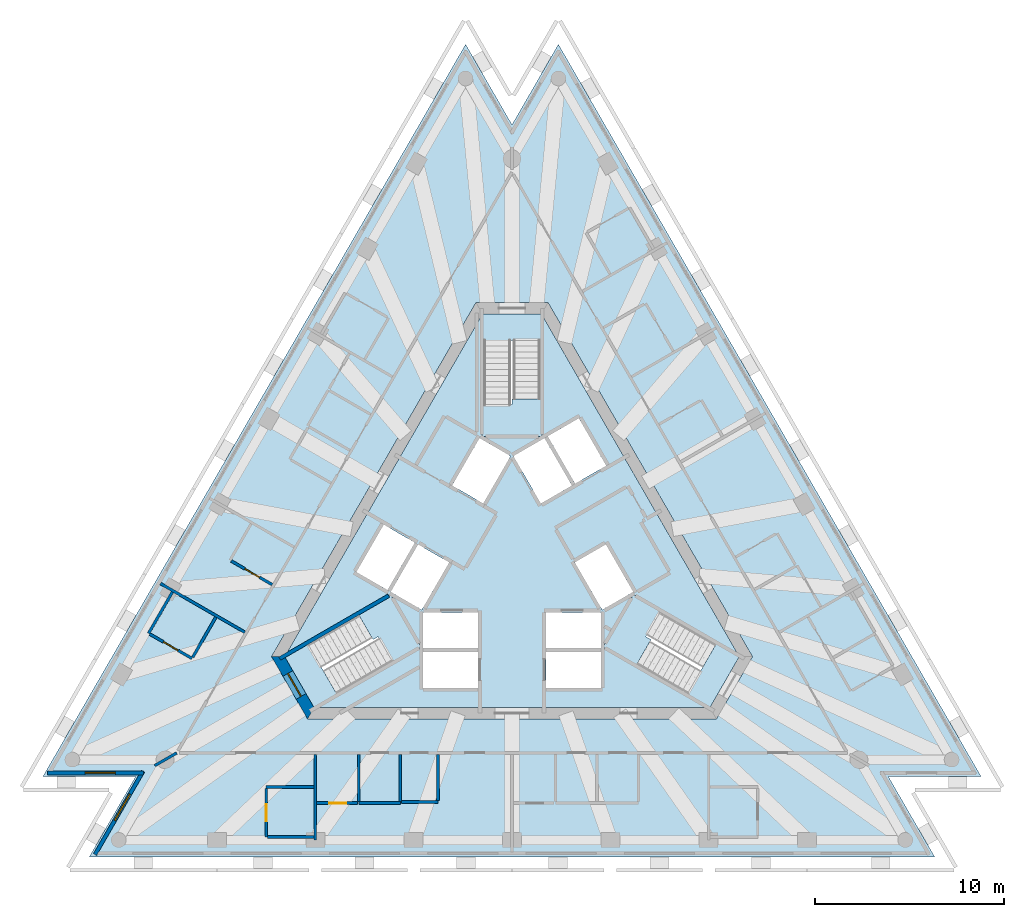
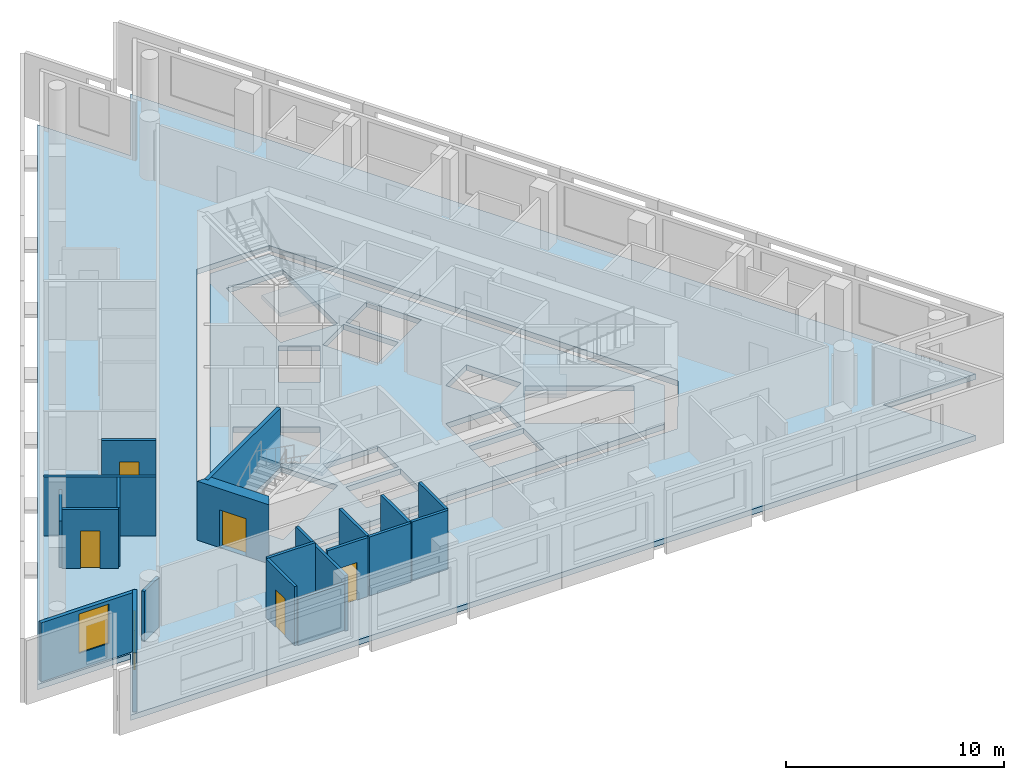
# One storey, part 2 of 10: 20 walls, 5 doors, 5 slabs, 2 windows, 7 openings, 3 elements without a shape of their own.
"""IFC4 building model written with IfcOpenShell, lengths in metres."""

from ifc_helpers import new_model, si_unit, direction, frame, frame_2d, origin, place, context, subcontext, project, spatial, polyline, rectangle, outline, extrude, material, layer, layer_set, layer_usage, type_object, element, fill, aggregate, save


model = new_model("IFC4")

# Units and contexts
model_context = context("Model", 3, precision=1e-05, world=origin(), true_north=direction((0.0, 1.0)))
body_context = subcontext(model_context, "Body", "Model", "MODEL_VIEW")
ifc_project = project(units=[si_unit("LENGTHUNIT", "METRE"), si_unit("AREAUNIT", "SQUARE_METRE"), si_unit("VOLUMEUNIT", "CUBIC_METRE"), si_unit("PLANEANGLEUNIT", "RADIAN"), si_unit("MASSUNIT", "GRAM", prefix="KILO")], contexts=[model_context])

# Site, building, storey
site_placement = place(None, origin())
site = spatial("IfcSite", under=ifc_project, at=site_placement, CompositionType="ELEMENT")
building_placement = place(site_placement, origin())
building = spatial("IfcBuilding", under=site, at=building_placement, Name="Triada Interchange Tower", CompositionType="ELEMENT")
storey_placement = place(building_placement, frame((0.0, 0.0, 311.5)))
storey = spatial("IfcBuildingStorey", under=building, at=storey_placement, Name="L74", CompositionType="ELEMENT", Elevation=311.5)

# Slabs
ifc_material_1 = material(Name="Concrete C50/60", Category="concrete")
ifc_layer_1 = layer(ifc_material_1, 0.300048828125)
ifc_layer_set_1 = layer_set([ifc_layer_1], Name="Floor slab 300")
slab_type_1 = type_object("IfcSlabType", Name="Floor slab 300", PredefinedType="FLOOR", material=ifc_layer_set_1)
slab_1_placement = place(storey_placement, frame((0.0, 0.0, -0.300048828125)))
element("IfcSlab", 1, at=slab_1_placement, inside=storey, type_object=slab_type_1, Name="Floor slab L74", PredefinedType="FLOOR", context=body_context, shape_type="SweptSolid", body=[
    extrude(outline(polyline([(-2.45703125, 27.27001953125), (-24.844970703125, -11.507080078125), (-19.930908203125, -11.507080078125), (-22.387939453125, -15.762939453125), (22.387939453125, -15.762939453125), (19.930908203125, -11.507080078125), (24.844970703125, -11.507080078125), (2.45703125, 27.27001953125), (0.0, 23.013916015625), (-2.45703125, 27.27001953125)]), holes=[polyline([(1.905029296875, 13.60009765625), (-1.905029296875, 13.60009765625), (-12.73095703125, -5.14990234375), (-10.824951171875, -8.449951171875), (10.824951171875, -8.449951171875), (12.73095703125, -5.14990234375), (1.905029296875, 13.60009765625)])]), origin(), (0.0, 0.0, 1.0), 0.300048828125),
])
slab_2_placement = place(storey_placement, frame((0.0, 0.0, -0.300048828125)))
element("IfcSlab", 2, at=slab_2_placement, inside=storey, type_object=slab_type_1, Name="Core floor slab L74 1", PredefinedType="FLOOR", context=body_context, shape_type="SweptSolid", body=[
    extrude(outline(polyline([(12.0380859375, -5.14990234375), (10.47900390625, -7.85009765625), (-10.47900390625, -7.85009765625), (-12.0380859375, -5.14990234375), (-1.55908203125, 13.0), (1.55908203125, 13.0), (12.0380859375, -5.14990234375)]), holes=[polyline([(9.2958984375, -7.09912109375), (10.7958984375, -4.5009765625), (6.466064453125, -2.0009765625), (4.966064453125, -4.59912109375), (9.2958984375, -7.09912109375)]), polyline([(4.969970703125, 0.791015625), (3.324951171875, -0.158935546875), (4.77490234375, -2.669921875), (6.419921875, -1.719970703125), (4.969970703125, 0.791015625)]), polyline([(1.89404296875, 6.52001953125), (3.343994140625, 4.009033203125), (4.989013671875, 4.958984375), (3.5390625, 7.469970703125), (1.89404296875, 6.52001953125)]), polyline([(1.800048828125, -4.89990234375), (1.800048828125, -6.4990234375), (1.800048828125, -6.800048828125), (4.699951171875, -6.800048828125), (4.699951171875, -4.89990234375), (1.800048828125, -4.89990234375)]), polyline([(4.699951171875, -2.800048828125), (1.800048828125, -2.800048828125), (1.800048828125, -4.699951171875), (4.699951171875, -4.699951171875), (4.699951171875, -2.800048828125)]), polyline([(1.52490234375, 2.958984375), (2.594970703125, 3.576904296875), (3.169921875, 3.908935546875), (1.719970703125, 6.419921875), (0.074951171875, 5.469970703125), (1.52490234375, 2.958984375)]), polyline([(-1.5, 11.60009765625), (-1.5, 6.60009765625), (1.5, 6.60009765625), (1.5, 11.60009765625), (-1.5, 11.60009765625)]), polyline([(-1.52490234375, 2.958984375), (-0.074951171875, 5.469970703125), (-1.719970703125, 6.419921875), (-3.169921875, 3.908935546875), (-1.52490234375, 2.958984375)]), polyline([(-1.800048828125, -2.800048828125), (-4.699951171875, -2.800048828125), (-4.699951171875, -4.699951171875), (-1.800048828125, -4.699951171875), (-1.800048828125, -2.800048828125)]), polyline([(-4.699951171875, -6.800048828125), (-1.800048828125, -6.800048828125), (-1.800048828125, -6.4990234375), (-1.800048828125, -4.89990234375), (-4.699951171875, -4.89990234375), (-4.699951171875, -6.800048828125)]), polyline([(-3.427978515625, -0.09912109375), (-4.969970703125, 0.791015625), (-6.419921875, -1.719970703125), (-4.77490234375, -2.669921875), (-3.324951171875, -0.158935546875), (-3.427978515625, -0.09912109375)]), polyline([(-10.7958984375, -4.5009765625), (-9.2958984375, -7.09912109375), (-4.966064453125, -4.59912109375), (-6.466064453125, -2.0009765625), (-10.7958984375, -4.5009765625)]), polyline([(-6.593994140625, -1.6201171875), (-5.14404296875, 0.89111328125), (-6.7890625, 1.841064453125), (-8.239013671875, -0.669921875), (-6.593994140625, -1.6201171875)])]), origin(), (0.0, 0.0, 1.0), 0.300048828125),
])

# Stair, slab
ifc_material_2 = material(Name="Concrete C35/45", Category="concrete")
stair_type = type_object("IfcStairType", Name="HALF TURN STAIR 1400", PredefinedType="HALF_TURN_STAIR", material=ifc_material_2)
stair_1_placement = place(storey_placement, origin())
stair_1 = element("IfcStair", 3, at=stair_1_placement, inside=storey, type_object=stair_type, Name="Exit stair S74-1", PredefinedType="HALF_TURN_STAIR")
ifc_layer_2 = layer(ifc_material_2, 0.199951171875)
ifc_layer_set_2 = layer_set([ifc_layer_2], Name="STAIR LANDING 200")
slab_type_2 = type_object("IfcSlabType", Name="STAIR LANDING 200", PredefinedType="LANDING", material=ifc_layer_set_2)
slab_3_placement = place(storey_placement, frame((0.0, 0.0, 1.521728515625)))
slab_3 = element("IfcSlab", 4, at=slab_3_placement, type_object=slab_type_2, Name="S74-1 landing 1", PredefinedType="LANDING", context=body_context, shape_type="SweptSolid", body=[
    extrude(outline(polyline([(1.60009765625, 6.5), (1.60009765625, 8.5), (0.0, 8.5), (0.0, 8.18994140625), (-1.60009765625, 8.18994140625), (-1.60009765625, 6.5), (1.60009765625, 6.5)])), origin(), (0.0, 0.0, 1.0), 0.199951171875),
])
aggregate(stair_1, [slab_3])

stair_2_placement = place(storey_placement, origin())
stair_2 = element("IfcStair", 5, at=stair_2_placement, inside=storey, type_object=stair_type, Name="Exit stair S74-2", PredefinedType="HALF_TURN_STAIR")
slab_4_placement = place(storey_placement, frame((0.0, 0.0, 1.521728515625)))
slab_4 = element("IfcSlab", 6, at=slab_4_placement, type_object=slab_type_2, Name="S74-2 landing 1", PredefinedType="LANDING", context=body_context, shape_type="SweptSolid", body=[
    extrude(outline(polyline([(-6.428955078125, -1.864013671875), (-8.160888671875, -2.864013671875), (-7.361083984375, -4.25), (-7.093017578125, -4.094970703125), (-6.29296875, -5.48095703125), (-4.8291015625, -4.635986328125), (-6.428955078125, -1.864013671875)])), origin(), (0.0, 0.0, 1.0), 0.199951171875),
])
aggregate(stair_2, [slab_4])

stair_3_placement = place(storey_placement, origin())
stair_3 = element("IfcStair", 7, at=stair_3_placement, inside=storey, type_object=stair_type, Name="Exit stair S74-3", PredefinedType="HALF_TURN_STAIR")
slab_5_placement = place(storey_placement, frame((0.0, 0.0, 1.521728515625)))
slab_5 = element("IfcSlab", 8, at=slab_5_placement, type_object=slab_type_2, Name="S74-3 landing 1", PredefinedType="LANDING", context=body_context, shape_type="SweptSolid", body=[
    extrude(outline(polyline([(4.8291015625, -4.635986328125), (6.56103515625, -5.635986328125), (7.361083984375, -4.25), (7.093017578125, -4.094970703125), (7.89306640625, -2.708984375), (6.428955078125, -1.864013671875), (4.8291015625, -4.635986328125)])), origin(), (0.0, 0.0, 1.0), 0.199951171875),
])
aggregate(stair_3, [slab_5])

# Wall
ifc_material_3 = material(Name="Concrete C30/37", Category="concrete")
ifc_layer_3 = layer(ifc_material_3, 0.199951171875)
ifc_layer_set_3 = layer_set([ifc_layer_3], Name="CORE WALL 200 REI 240")
wall_type_1 = type_object("IfcWallType", Name="CORE WALL 200 REI 240", PredefinedType="SOLIDWALL", material=ifc_layer_set_3)
wall_1_placement = place(storey_placement, frame((-12.301025390625, -5.25390625, 0.0), z_axis=(0.0, 0.0, 1.0), x_axis=(0.866068467981, 0.499925403204, 0.0)))
element("IfcWall", 9, at=wall_1_placement, inside=storey, type_object=wall_type_1, Name="Wall L74 110", PredefinedType="SOLIDWALL", context=body_context, shape_type="SweptSolid", body=[
    extrude(rectangle(XDim=6.66455078125, YDim=0.199951171875, at=frame_2d((3.332275390625, 0.0))), origin(), (0.0, 0.0, 1.0), 3.300048828125),
])

# Wall, opening, door
ifc_material_4 = material(Name="Concrete C40/50", Category="concrete")
ifc_layer_4 = layer(ifc_material_4, 0.60009765625)
ifc_layer_set_4 = layer_set([ifc_layer_4], Name="Core wall D 600")
wall_type_2 = type_object("IfcWallType", Name="Core wall D 600", PredefinedType="SHEAR", material=ifc_layer_set_4)
wall_2_placement = place(storey_placement, frame((-12.384033203125, -5.14990234375, -0.300048828125), z_axis=(0.0, 0.0, 1.0), x_axis=(0.49997462182, -0.866040055388, 0.0)))
wall_2 = element("IfcWall", 10, at=wall_2_placement, inside=storey, type_object=wall_type_2, Name="Core wall WD03 L74", PredefinedType="SHEAR", context=body_context, shape_type="SweptSolid", body=[
    extrude(outline(polyline([(-0.173095703125, -0.301025390625), (1.73193359375, -0.300537109375), (3.636962890625, -0.300048828125), (3.291015625, 0.300048828125), (1.73193359375, 0.300048828125), (0.173095703125, 0.300048828125), (-0.173095703125, -0.301025390625)])), origin(), (0.0, 0.0, 1.0), 3.60009765625),
])
opening_1_placement = place(wall_2_placement, frame((1.031982421875, 0.0, 0.300048828125)))
opening_1 = element("IfcOpeningElement", 11, at=opening_1_placement, cuts=wall_2, Name="Opening D74-47", PredefinedType="OPENING", context=body_context, shape_type="SweptSolid", body=[
    extrude(rectangle(XDim=1.39990234375, YDim=2.10009765625, at=frame_2d((0.699951171875, 1.050048828125))), frame((0.0, 0.31005859375, 0.0), z_axis=(0.0, -1.0, 0.0), x_axis=(1.0, 0.0, 0.0)), (0.0, 0.0, 1.0), 0.62109375),
])
ifc_material_5 = material(Name="Steel S235 door leaf", Category="steel")
door_type_1 = type_object("IfcDoorType", Name="STAIR DOOR 1400 EI2 90-C5S200", OperationType="DOUBLE_DOOR_SINGLE_SWING", PredefinedType="DOOR", material=ifc_material_5)
door_1_placement = place(opening_1_placement, origin())
door_1 = element("IfcDoor", 12, at=door_1_placement, inside=storey, type_object=door_type_1, Name="Door D74-47 L74", OperationType="DOUBLE_DOOR_SINGLE_SWING", OverallHeight=2.10009765625, OverallWidth=1.39990234375, PredefinedType="DOOR", context=body_context, shape_type="SweptSolid", body=[
    extrude(rectangle(XDim=1.39990234375, YDim=2.10009765625, at=frame_2d((0.699951171875, 1.050048828125))), frame((0.0, 0.02490234375, 0.0), z_axis=(0.0, -1.0, 0.0), x_axis=(1.0, 0.0, 0.0)), (0.0, 0.0, 1.0), 0.050048828125),
])
fill(opening_1, door_1)

# Wall, opening, window
ifc_material_6 = material(Name="Cement board")
ifc_layer_5 = layer(ifc_material_6, 0.02001953125, Name="Cement board cladding")
ifc_material_7 = material(Name="Sheathing board")
ifc_layer_6 = layer(ifc_material_7, 0.014892578125, Name="Sheathing board")
ifc_material_8 = material(Name="Mineral wool")
ifc_layer_7 = layer(ifc_material_8, 0.14990234375, Name="Mineral wool between steel studs")
ifc_material_9 = material(Name="Gypsum board")
ifc_layer_8 = layer(ifc_material_9, 0.014892578125, Name="Plasterboard lining")
ifc_layer_set_5 = layer_set([ifc_layer_5, ifc_layer_6, ifc_layer_7, ifc_layer_8], Name="External wall 200")
ifc_layer_usage = layer_usage(ifc_layer_set_5, "AXIS2", "POSITIVE", -0.10009765625)
wall_type_3 = type_object("IfcWallType", Name="External wall 200", PredefinedType="ELEMENTEDWALL", material=ifc_layer_set_5)
wall_3_placement = place(storey_placement, frame((-24.589111328125, -11.306884765625, 0.0), z_axis=(0.0, 0.0, 1.0), x_axis=(1.0, 0.0, 0.0)))
wall_3 = element("IfcWall", 13, at=wall_3_placement, inside=storey, type_object=wall_type_3, material=ifc_layer_usage, Name="External wall L74 SW-1", PredefinedType="ELEMENTEDWALL", context=body_context, shape_type="SweptSolid", body=[
    extrude(rectangle(XDim=5.07421875, YDim=0.199951171875, at=frame_2d((2.537109375, 0.0))), origin(), (0.0, 0.0, 1.0), 3.300048828125),
])
opening_2_placement = place(wall_3_placement, frame((1.989990234375, 0.0, 0.89990234375)))
opening_2 = element("IfcOpeningElement", 14, at=opening_2_placement, cuts=wall_3, Name="Opening WD09", PredefinedType="OPENING", context=body_context, shape_type="SweptSolid", body=[
    extrude(rectangle(XDim=1.60009765625, YDim=2.199951171875, at=frame_2d((0.800048828125, 1.10009765625))), frame((0.0, 0.10986328125, 0.0), z_axis=(0.0, -1.0, 0.0), x_axis=(1.0, 0.0, 0.0)), (0.0, 0.0, 1.0), 0.219970703125),
])
ifc_material_10 = material(Name="Double glazed aluminium window", Category="aluminium")
window_type = type_object("IfcWindowType", Name="Ribbon window D pocket", PartitioningType="SINGLE_PANEL", PredefinedType="WINDOW", material=ifc_material_10)
window_1_placement = place(opening_2_placement, origin())
window_1 = element("IfcWindow", 15, at=window_1_placement, inside=storey, type_object=window_type, Name="Window L74 SW-1 1", OverallHeight=2.199951171875, OverallWidth=1.60009765625, PartitioningType="SINGLE_PANEL", PredefinedType="WINDOW", context=body_context, shape_type="SweptSolid", body=[
    extrude(rectangle(XDim=1.60009765625, YDim=2.199951171875, at=frame_2d((0.800048828125, 1.10009765625))), frame((0.0, 0.030029296875, 0.0), z_axis=(0.0, -1.0, 0.0), x_axis=(1.0, 0.0, 0.0)), (0.0, 0.0, 1.0), 0.06005859375),
])
fill(opening_2, window_1)

wall_4_placement = place(storey_placement, frame((-19.5400390625, -11.22900390625, 0.0), z_axis=(0.0, 0.0, 1.0), x_axis=(-0.499911250765, -0.866076637116, 0.0)))
wall_4 = element("IfcWall", 16, at=wall_4_placement, inside=storey, type_object=wall_type_3, material=ifc_layer_usage, Name="External wall L74 SW-2", PredefinedType="ELEMENTEDWALL", context=body_context, shape_type="SweptSolid", body=[
    extrude(rectangle(XDim=5.07470703125, YDim=0.199951171875, at=frame_2d((2.537353515625, 0.0))), origin(), (0.0, 0.0, 1.0), 3.300048828125),
])
opening_3_placement = place(wall_4_placement, frame((1.389892578125, 0.0, 0.89990234375)))
opening_3 = element("IfcOpeningElement", 17, at=opening_3_placement, cuts=wall_4, Name="Opening WD10", PredefinedType="OPENING", context=body_context, shape_type="SweptSolid", body=[
    extrude(rectangle(XDim=1.60009765625, YDim=2.199951171875, at=frame_2d((0.800048828125, 1.10009765625))), frame((0.0, 0.10986328125, 0.0), z_axis=(0.0, -1.0, 0.0), x_axis=(1.0, 0.0, 0.0)), (0.0, 0.0, 1.0), 0.219970703125),
])
window_2_placement = place(opening_3_placement, origin())
window_2 = element("IfcWindow", 18, at=window_2_placement, inside=storey, type_object=window_type, Name="Window L74 SW-2 1", OverallHeight=2.199951171875, OverallWidth=1.60009765625, PartitioningType="SINGLE_PANEL", PredefinedType="WINDOW", context=body_context, shape_type="SweptSolid", body=[
    extrude(rectangle(XDim=1.60009765625, YDim=2.199951171875, at=frame_2d((0.800048828125, 1.10009765625))), frame((0.0, 0.030029296875, 0.0), z_axis=(0.0, -1.0, 0.0), x_axis=(1.0, 0.0, 0.0)), (0.0, 0.0, 1.0), 0.06005859375),
])
fill(opening_3, window_2)

# Walls
ifc_material_11 = material(Name="Gypsum board partition")
ifc_layer_9 = layer(ifc_material_11, 0.14990234375)
ifc_layer_set_6 = layer_set([ifc_layer_9], Name="PARTITION 150 EI 180")
wall_type_4 = type_object("IfcWallType", Name="PARTITION 150 EI 180", PredefinedType="PARTITIONING", material=ifc_layer_set_6)
wall_5_placement = place(storey_placement, frame((-18.908935546875, -10.9169921875, 0.0), z_axis=(0.0, 0.0, 1.0), x_axis=(0.865847470378, 0.500308063137, 0.0)))
element("IfcWall", 19, at=wall_5_placement, inside=storey, type_object=wall_type_4, Name="Wall L74 1", PredefinedType="PARTITIONING", context=body_context, shape_type="SweptSolid", body=[
    extrude(rectangle(XDim=1.335205078125, YDim=0.14990234375, at=frame_2d((0.66748046875, 0.0))), origin(), (0.0, 0.0, 1.0), 2.800048828125),
])
wall_6_placement = place(storey_placement, frame((-18.615966796875, -1.278076171875, 0.0), z_axis=(0.0, 0.0, 1.0), x_axis=(0.86604134632, -0.499972385701, 0.0)))
element("IfcWall", 20, at=wall_6_placement, inside=storey, type_object=wall_type_4, Name="Wall L74 3", PredefinedType="PARTITIONING", context=body_context, shape_type="SweptSolid", body=[
    extrude(rectangle(XDim=5.157958984375, YDim=0.14990234375, at=frame_2d((2.5791015625, 0.0))), origin(), (0.0, 0.0, 1.0), 3.300048828125),
])
wall_7_placement = place(storey_placement, frame((-10.4140625, -14.85791015625, 0.0), z_axis=(0.0, 0.0, 1.0), x_axis=(0.0, 1.0, 0.0)))
element("IfcWall", 21, at=wall_7_placement, inside=storey, type_object=wall_type_4, Name="Wall L74 12", PredefinedType="PARTITIONING", context=body_context, shape_type="SweptSolid", body=[
    extrude(rectangle(XDim=4.532958984375, YDim=0.14990234375, at=frame_2d((2.2666015625, 0.0))), origin(), (0.0, 0.0, 1.0), 3.10009765625),
])
wall_8_placement = place(storey_placement, frame((-8.114013671875, -12.906005859375, 0.0), z_axis=(0.0, 0.0, 1.0), x_axis=(1.0, 0.0, 0.0)))
element("IfcWall", 22, at=wall_8_placement, inside=storey, type_object=wall_type_4, Name="Wall L74 14", PredefinedType="PARTITIONING", context=body_context, shape_type="SweptSolid", body=[
    extrude(rectangle(XDim=2.199951171875, YDim=0.14990234375, at=frame_2d((1.10009765625, 0.0))), origin(), (0.0, 0.0, 1.0), 3.300048828125),
])
for number, where, z_axis, x_axis, name in (
    (23, (-5.9140625, -12.83203125, 0.0), (0.0, 0.0, 1.0), (0.0, 1.0, 0.0), "Wall L74 16"),
    (24, (-8.114013671875, -12.83203125, 0.0), (0.0, 0.0, 1.0), (0.0, 1.0, 0.0), "Wall L74 17"),
):
    element("IfcWall", number, at=place(storey_placement, frame(where, z_axis=z_axis, x_axis=x_axis)), inside=storey, type_object=wall_type_4, Name=name, PredefinedType="PARTITIONING", context=body_context, shape_type="SweptSolid", body=[
        extrude(rectangle(XDim=2.507080078125, YDim=0.14990234375, at=frame_2d((1.25341796875, 0.0))), origin(), (0.0, 0.0, 1.0), 3.300048828125),
    ])
wall_9_placement = place(storey_placement, frame((-5.839111328125, -12.85009765625, 0.0), z_axis=(0.0, 0.0, 1.0), x_axis=(1.0, 0.0, 0.0)))
element("IfcWall", 25, at=wall_9_placement, inside=storey, type_object=wall_type_4, Name="Wall L74 18", PredefinedType="PARTITIONING", context=body_context, shape_type="SweptSolid", body=[
    extrude(rectangle(XDim=1.925048828125, YDim=0.14990234375, at=frame_2d((0.96240234375, 0.0))), origin(), (0.0, 0.0, 1.0), 3.300048828125),
])
wall_10_placement = place(storey_placement, frame((-3.9140625, -12.77490234375, 0.0), z_axis=(0.0, 0.0, 1.0), x_axis=(0.0, 1.0, 0.0)))
element("IfcWall", 26, at=wall_10_placement, inside=storey, type_object=wall_type_4, Name="Wall L74 19", PredefinedType="PARTITIONING", context=body_context, shape_type="SweptSolid", body=[
    extrude(rectangle(XDim=2.449951171875, YDim=0.14990234375, at=frame_2d((1.22509765625, 0.0))), origin(), (0.0, 0.0, 1.0), 3.300048828125),
])
ifc_layer_10 = layer(ifc_material_11, 0.14990234375)
ifc_layer_set_7 = layer_set([ifc_layer_10], Name="PARTITION 150 EI 90")
wall_type_5 = type_object("IfcWallType", Name="PARTITION 150 EI 90", PredefinedType="PARTITIONING", material=ifc_layer_set_7)
wall_11_placement = place(storey_placement, frame((-19.243896484375, -3.91796875, 0.0), z_axis=(0.0, 0.0, 1.0), x_axis=(0.500079482444, 0.865979509711, 0.0)))
element("IfcWall", 27, at=wall_11_placement, inside=storey, type_object=wall_type_5, Name="Wall L74 31", PredefinedType="PARTITIONING", context=body_context, shape_type="SweptSolid", body=[
    extrude(rectangle(XDim=2.525390625, YDim=0.14990234375, at=frame_2d((1.2626953125, 0.0))), origin(), (0.0, 0.0, 1.0), 2.60009765625),
])

# Wall, opening, door
wall_12_placement = place(storey_placement, frame((-19.178955078125, -3.955078125, 0.0), z_axis=(0.0, 0.0, 1.0), x_axis=(0.865999760466, -0.500044412901, 0.0)))
wall_12 = element("IfcWall", 28, at=wall_12_placement, inside=storey, type_object=wall_type_5, Name="Wall L74 33", PredefinedType="PARTITIONING", context=body_context, shape_type="SweptSolid", body=[
    extrude(rectangle(XDim=2.581787109375, YDim=0.14990234375, at=frame_2d((1.291015625, 0.0))), origin(), (0.0, 0.0, 1.0), 3.300048828125),
])
opening_4_placement = place(wall_12_placement, frame((0.83203125, 0.0, 0.0)))
opening_4 = element("IfcOpeningElement", 29, at=opening_4_placement, cuts=wall_12, Name="Opening D74-44", PredefinedType="OPENING", context=body_context, shape_type="SweptSolid", body=[
    extrude(rectangle(XDim=0.89990234375, YDim=2.10009765625, at=frame_2d((0.449951171875, 1.050048828125))), frame((0.0, 0.0849609375, 0.0), z_axis=(0.0, -1.0, 0.0), x_axis=(1.0, 0.0, 0.0)), (0.0, 0.0, 1.0), 0.169921875),
])
door_type_2 = type_object("IfcDoorType", Name="ROOM DOOR 900 EI2 45-C5S200", OperationType="NOTDEFINED", PredefinedType="DOOR", material=ifc_material_5)
door_2_placement = place(opening_4_placement, origin())
door_2 = element("IfcDoor", 30, at=door_2_placement, inside=storey, type_object=door_type_2, Name="Door D74-44 L74", OperationType="SINGLE_SWING_LEFT", OverallHeight=2.10009765625, OverallWidth=0.89990234375, PredefinedType="DOOR", context=body_context, shape_type="SweptSolid", body=[
    extrude(rectangle(XDim=0.89990234375, YDim=2.10009765625, at=frame_2d((0.449951171875, 1.050048828125))), frame((0.0, 0.02490234375, 0.0), z_axis=(0.0, -1.0, 0.0), x_axis=(1.0, 0.0, 0.0)), (0.0, 0.0, 1.0), 0.050048828125),
])
fill(opening_4, door_2)

# Wall
wall_13_placement = place(storey_placement, frame((-16.905029296875, -5.180908203125, 0.0), z_axis=(0.0, 0.0, 1.0), x_axis=(0.500018594424, 0.866014668023, 0.0)))
element("IfcWall", 31, at=wall_13_placement, inside=storey, type_object=wall_type_5, Name="Wall L74 34", PredefinedType="PARTITIONING", context=body_context, shape_type="SweptSolid", body=[
    extrude(rectangle(XDim=2.4501953125, YDim=0.14990234375, at=frame_2d((1.22509765625, 0.0))), origin(), (0.0, 0.0, 1.0), 3.300048828125),
])

# Wall, opening, door
wall_14_placement = place(storey_placement, frame((-14.865966796875, -0.0849609375, 0.0), z_axis=(0.0, 0.0, 1.0), x_axis=(0.865890381195, -0.500233793095, 0.0)))
wall_14 = element("IfcWall", 32, at=wall_14_placement, inside=storey, type_object=wall_type_5, Name="Wall L74 38", PredefinedType="PARTITIONING", context=body_context, shape_type="SweptSolid", body=[
    extrude(rectangle(XDim=2.507080078125, YDim=0.14990234375, at=frame_2d((1.25341796875, 0.0))), origin(), (0.0, 0.0, 1.0), 3.300048828125),
])
opening_5_placement = place(wall_14_placement, frame((0.83203125, 0.0, 0.0)))
opening_5 = element("IfcOpeningElement", 33, at=opening_5_placement, cuts=wall_14, Name="Opening D74-42", PredefinedType="OPENING", context=body_context, shape_type="SweptSolid", body=[
    extrude(rectangle(XDim=0.89990234375, YDim=2.10009765625, at=frame_2d((0.449951171875, 1.050048828125))), frame((0.0, 0.0849609375, 0.0), z_axis=(0.0, -1.0, 0.0), x_axis=(1.0, 0.0, 0.0)), (0.0, 0.0, 1.0), 0.169921875),
])
door_3_placement = place(opening_5_placement, origin())
door_3 = element("IfcDoor", 34, at=door_3_placement, inside=storey, type_object=door_type_2, Name="Door D74-42 L74", OperationType="SINGLE_SWING_RIGHT", OverallHeight=2.10009765625, OverallWidth=0.89990234375, PredefinedType="DOOR", context=body_context, shape_type="SweptSolid", body=[
    extrude(rectangle(XDim=0.89990234375, YDim=2.10009765625, at=frame_2d((0.449951171875, 1.050048828125))), frame((0.0, 0.02490234375, 0.0), z_axis=(0.0, -1.0, 0.0), x_axis=(1.0, 0.0, 0.0)), (0.0, 0.0, 1.0), 0.050048828125),
])
fill(opening_5, door_3)

# Wall
wall_15_placement = place(storey_placement, frame((-13.013916015625, -12.050048828125, 0.0), z_axis=(0.0, 0.0, 1.0), x_axis=(1.0, 0.0, 0.0)))
element("IfcWall", 35, at=wall_15_placement, inside=storey, type_object=wall_type_5, Name="Wall L74 39", PredefinedType="PARTITIONING", context=body_context, shape_type="SweptSolid", body=[
    extrude(rectangle(XDim=2.52490234375, YDim=0.14990234375, at=frame_2d((1.262451171875, 0.0))), origin(), (0.0, 0.0, 1.0), 3.300048828125),
])

# Wall, opening, door
wall_16_placement = place(storey_placement, frame((-13.013916015625, -14.7060546875, 0.0), z_axis=(0.0, 0.0, 1.0), x_axis=(0.0, 1.0, 0.0)))
wall_16 = element("IfcWall", 36, at=wall_16_placement, inside=storey, type_object=wall_type_5, Name="Wall L74 41", PredefinedType="PARTITIONING", context=body_context, shape_type="SweptSolid", body=[
    extrude(rectangle(XDim=2.5810546875, YDim=0.14990234375, at=frame_2d((1.29052734375, 0.0))), origin(), (0.0, 0.0, 1.0), 3.300048828125),
])
opening_6_placement = place(wall_16_placement, frame((0.85009765625, 0.0, 0.0)))
opening_6 = element("IfcOpeningElement", 37, at=opening_6_placement, cuts=wall_16, Name="Opening D74-12", PredefinedType="OPENING", context=body_context, shape_type="SweptSolid", body=[
    extrude(rectangle(XDim=0.89990234375, YDim=2.10009765625, at=frame_2d((0.449951171875, 1.050048828125))), frame((0.0, 0.0849609375, 0.0), z_axis=(0.0, -1.0, 0.0), x_axis=(1.0, 0.0, 0.0)), (0.0, 0.0, 1.0), 0.169921875),
])
door_4_placement = place(opening_6_placement, origin())
door_4 = element("IfcDoor", 38, at=door_4_placement, inside=storey, type_object=door_type_2, Name="Door D74-12 L74", OperationType="SINGLE_SWING_RIGHT", OverallHeight=2.10009765625, OverallWidth=0.89990234375, PredefinedType="DOOR", context=body_context, shape_type="SweptSolid", body=[
    extrude(rectangle(XDim=0.89990234375, YDim=2.10009765625, at=frame_2d((0.449951171875, 1.050048828125))), frame((0.0, 0.02490234375, 0.0), z_axis=(0.0, -1.0, 0.0), x_axis=(1.0, 0.0, 0.0)), (0.0, 0.0, 1.0), 0.050048828125),
])
fill(opening_6, door_4)

# Wall
wall_17_placement = place(storey_placement, frame((-12.93896484375, -14.7060546875, 0.0), z_axis=(0.0, 0.0, 1.0), x_axis=(1.0, 0.0, 0.0)))
element("IfcWall", 39, at=wall_17_placement, inside=storey, type_object=wall_type_5, Name="Wall L74 42", PredefinedType="PARTITIONING", context=body_context, shape_type="SweptSolid", body=[
    extrude(rectangle(XDim=2.449951171875, YDim=0.14990234375, at=frame_2d((1.22509765625, 0.0))), origin(), (0.0, 0.0, 1.0), 2.60009765625),
])

# Wall, opening, door
wall_18_placement = place(storey_placement, frame((-10.339111328125, -12.906005859375, 0.0), z_axis=(0.0, 0.0, 1.0), x_axis=(1.0, 0.0, 0.0)))
wall_18 = element("IfcWall", 40, at=wall_18_placement, inside=storey, type_object=wall_type_5, Name="Wall L74 44", PredefinedType="PARTITIONING", context=body_context, shape_type="SweptSolid", body=[
    extrude(rectangle(XDim=2.152099609375, YDim=0.14990234375, at=frame_2d((1.076171875, 0.0))), origin(), (0.0, 0.0, 1.0), 3.300048828125),
])
opening_7_placement = place(wall_18_placement, frame((0.675048828125, 0.0, 0.0)))
opening_7 = element("IfcOpeningElement", 41, at=opening_7_placement, cuts=wall_18, Name="Opening D74-14", PredefinedType="OPENING", context=body_context, shape_type="SweptSolid", body=[
    extrude(rectangle(XDim=0.89990234375, YDim=2.10009765625, at=frame_2d((0.449951171875, 1.050048828125))), frame((0.0, 0.0849609375, 0.0), z_axis=(0.0, -1.0, 0.0), x_axis=(1.0, 0.0, 0.0)), (0.0, 0.0, 1.0), 0.169921875),
])
door_5_placement = place(opening_7_placement, origin())
door_5 = element("IfcDoor", 42, at=door_5_placement, inside=storey, type_object=door_type_2, Name="Door D74-14 L74", OperationType="SINGLE_SWING_LEFT", OverallHeight=2.10009765625, OverallWidth=0.89990234375, PredefinedType="DOOR", context=body_context, shape_type="SweptSolid", body=[
    extrude(rectangle(XDim=0.89990234375, YDim=2.10009765625, at=frame_2d((0.449951171875, 1.050048828125))), frame((0.0, 0.02490234375, 0.0), z_axis=(0.0, -1.0, 0.0), x_axis=(1.0, 0.0, 0.0)), (0.0, 0.0, 1.0), 0.050048828125),
])
fill(opening_7, door_5)

save(model, "model.ifc")
